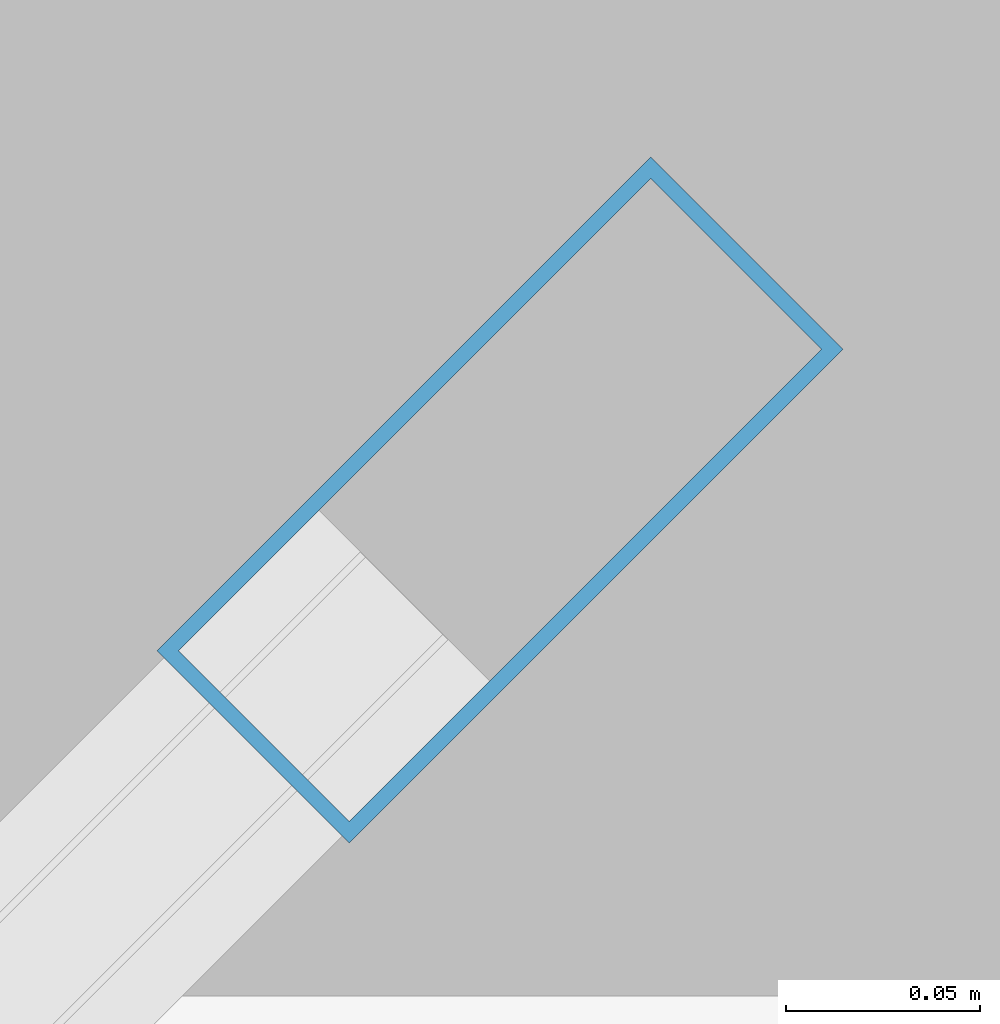
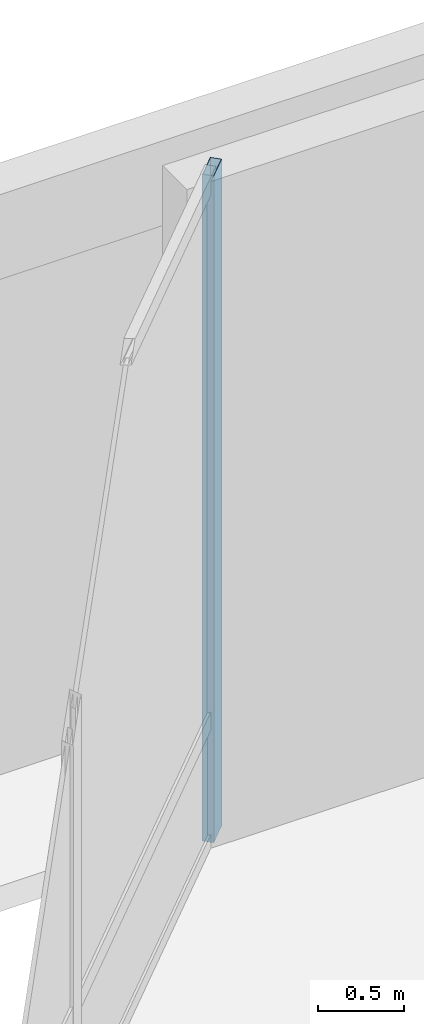
# One storey, part 9 of 23: 1 member, 1 element without a shape of its own.
"""IFC4 building model written with IfcOpenShell, lengths in metres."""

import ifcopenshell
import ifcopenshell.guid

model = None  # the IFC model being written
_history = None  # IfcOwnerHistory: only IFC2X3 demands one
_inside = {}  # id of a spatial element -> (the spatial element, [elements in it])
_under = {}  # id of a project, library or spatial element -> (it, [spatial elements below it])
_declared = {}  # id of a project -> (the project, [libraries it declares])
_typed = {}  # id of a type object -> (the type object, [elements of that type])
_made_of = {}  # id of a material, layer set ... -> (it, [elements and type objects made of it])


def new_model(schema):
    """Start an empty IFC model of exactly this schema.

    Asked for "IFC4X3", IfcOpenShell would pick the latest addendum, in which some entities
    have other attributes; the version numbers below select the first issue.
    IFC2X3 requires an IfcOwnerHistory on every rooted entity: one is made here for all.
    """
    global model, _history
    if schema == "IFC4X3":
        model = ifcopenshell.file(schema_version=(4, 3, 0, 0))
    else:
        model = ifcopenshell.file(schema=schema)
    _inside.clear()
    _under.clear()
    _declared.clear()
    _typed.clear()
    _made_of.clear()
    _history = None
    if model.schema == "IFC2X3":
        org = make("IfcOrganization", Name="unknown")
        user = make(
            "IfcPersonAndOrganization",
            ThePerson=make("IfcPerson", FamilyName="unknown"),
            TheOrganization=org,
        )
        app = make(
            "IfcApplication",
            ApplicationDeveloper=org,
            Version="unknown",
            ApplicationFullName="unknown",
            ApplicationIdentifier="unknown",
        )
        _history = make(
            "IfcOwnerHistory",
            OwningUser=user,
            OwningApplication=app,
            ChangeAction="ADDED",
            CreationDate=0,
        )
    return model


def make(cls, **values):
    """One entity of the class cls with the attributes given. An attribute that is None is left unset."""
    return model.create_entity(
        cls, **{name: value for name, value in values.items() if value is not None}
    )


def rooted(cls, **values):
    """An entity with a GlobalId (a new one), such as an element, a storey or a relation."""
    return make(cls, GlobalId=ifcopenshell.guid.new(), OwnerHistory=_history, **values)


def si_unit(unit_type, name, prefix=None):
    """IfcSIUnit, for example si_unit("LENGTHUNIT", "METRE", prefix="MILLI")."""
    return make("IfcSIUnit", UnitType=unit_type, Prefix=prefix, Name=name)


def assignment(units):
    """IfcUnitAssignment: the units of a project."""
    return None if units is None else make("IfcUnitAssignment", Units=units)


def point(xyz):
    """IfcCartesianPoint."""
    return None if xyz is None else make("IfcCartesianPoint", Coordinates=xyz)


def direction(xyz):
    """IfcDirection."""
    return None if xyz is None else make("IfcDirection", DirectionRatios=xyz)


def frame(location, z_axis=None, x_axis=None):
    """IfcAxis2Placement3D, a coordinate frame: its origin and axes. An axis left out is left unset."""
    return make(
        "IfcAxis2Placement3D",
        Location=point(location),
        Axis=direction(z_axis),
        RefDirection=direction(x_axis),
    )


def frame_2d(location, x_axis=None):
    """IfcAxis2Placement2D, a coordinate frame in the plane: its origin and x axis."""
    return make(
        "IfcAxis2Placement2D", Location=point(location), RefDirection=direction(x_axis)
    )


def origin():
    """The frame at (0, 0, 0) with its axes left unset."""
    return frame((0.0, 0.0, 0.0))


def origin_2d():
    """The frame at (0, 0) in the plane with its x axis left unset."""
    return frame_2d((0.0, 0.0))


def place(relative_to, where):
    """IfcLocalPlacement: puts the frame where relative to a parent placement (None: the world)."""
    return make(
        "IfcLocalPlacement", PlacementRelTo=relative_to, RelativePlacement=where
    )


def context(
    kind, dimensions, precision=None, world=None, true_north=None, identifier=None
):
    """IfcGeometricRepresentationContext, for example the 3D "Model" context."""
    return make(
        "IfcGeometricRepresentationContext",
        ContextIdentifier=identifier,
        ContextType=kind,
        CoordinateSpaceDimension=dimensions,
        Precision=precision,
        WorldCoordinateSystem=world,
        TrueNorth=true_north,
    )


def subcontext(parent, identifier, kind, view, scale=None):
    """IfcGeometricRepresentationSubContext, for example "Body" below "Model"."""
    return make(
        "IfcGeometricRepresentationSubContext",
        ContextIdentifier=identifier,
        ContextType=kind,
        ParentContext=parent,
        TargetScale=scale,
        TargetView=view,
    )


def project(units=None, contexts=None):
    """IfcProject with its units and contexts."""
    return rooted(
        "IfcProject",
        Name="project",
        RepresentationContexts=contexts,
        UnitsInContext=assignment(units),
    )


def spatial(cls, under=None, at=None, **own):
    """A site, building, storey or space (cls), placed at a placement, below another one or the project."""
    s = rooted(cls, ObjectPlacement=at, **own)
    if under is not None:
        _under.setdefault(under.id(), (under, []))[1].append(s)
    return s


def profile(cls, at=None, kind="AREA", **sizes):
    """A parametric profile (cls). Its sizes go by their IFC names, for example OverallWidth=200.0."""
    return make(cls, ProfileType=kind, Position=at, **sizes)


def hollow_rectangle(**sizes):
    """IfcRectangleHollowProfileDef."""
    return profile("IfcRectangleHollowProfileDef", **sizes)


def extrude(swept, where, along, depth):
    """IfcExtrudedAreaSolid: the profile swept, set in the frame where, extruded along a direction by depth."""
    return make(
        "IfcExtrudedAreaSolid",
        SweptArea=swept,
        Position=where,
        ExtrudedDirection=direction(along),
        Depth=depth,
    )


def shape(context_of_items, identifier, shape_type, items):
    """IfcShapeRepresentation: the items that make up one representation, for example the "Body"."""
    return make(
        "IfcShapeRepresentation",
        ContextOfItems=context_of_items,
        RepresentationIdentifier=identifier,
        RepresentationType=shape_type,
        Items=items,
    )


def material(Name=None, Category=None):
    """IfcMaterial."""
    return make("IfcMaterial", Name=Name, Category=Category)


def layer(
    of_material, thickness, ventilated=None, Name=None, Category=None, Priority=None
):
    """IfcMaterialLayer: one layer of a wall or slab, of a material (None: an air gap)."""
    return make(
        "IfcMaterialLayer",
        Material=of_material,
        LayerThickness=thickness,
        IsVentilated=ventilated,
        Name=Name,
        Category=Category,
        Priority=Priority,
    )


def layer_set(layers, Name=None):
    """IfcMaterialLayerSet."""
    return make("IfcMaterialLayerSet", MaterialLayers=layers, LayerSetName=Name)


def material_profile(
    of_material, cross_section, Name=None, Category=None, Priority=None
):
    """IfcMaterialProfile: a cross section and its material."""
    return make(
        "IfcMaterialProfile",
        Name=Name,
        Material=of_material,
        Profile=cross_section,
        Priority=Priority,
        Category=Category,
    )


def profile_set(profiles, Name=None, composite=None):
    """IfcMaterialProfileSet."""
    return make(
        "IfcMaterialProfileSet",
        Name=Name,
        MaterialProfiles=profiles,
        CompositeProfile=composite,
    )


def made_of(thing, what):
    """Note that an element or type object is made of a material, layer set ...; save() writes the relation."""
    if what is not None:
        _made_of.setdefault(what.id(), (what, []))[1].append(thing)
    return thing


def type_object(cls, material=None, **own):
    """A type object (cls), such as IfcWallType, which elements share."""
    return made_of(rooted(cls, **own), material)


def element(
    cls,
    number,
    at=None,
    inside=None,
    cuts=None,
    type_object=None,
    material=None,
    context=None,
    identifier="Body",
    shape_type=None,
    held_by="IfcProductDefinitionShape",
    body=None,
    shapes=None,
    **own,
):
    """One element of the class cls, such as IfcWall. Its Tag is "e" and its number.

    at: its placement. inside: the storey or other place that contains it. cuts: it is an
    opening in that element (IfcRelVoidsElement). A single representation is given by context,
    identifier, shape_type and body (its items); several are given by shapes. held_by: the class
    of the entity that holds the representations. save() writes the other relations.
    """
    e = rooted(cls, Tag="e%d" % number, ObjectPlacement=at, **own)
    if body is not None:
        shapes = [shape(context, identifier, shape_type, body)]
    if shapes is not None:
        e.Representation = make(held_by, Representations=shapes)
    if inside is not None:
        _inside.setdefault(inside.id(), (inside, []))[1].append(e)
    if cuts is not None:
        rooted(
            "IfcRelVoidsElement", RelatingBuildingElement=cuts, RelatedOpeningElement=e
        )
    if type_object is not None:
        _typed.setdefault(type_object.id(), (type_object, []))[1].append(e)
    return made_of(e, material)


def aggregate(whole, parts):
    """IfcRelAggregates: a whole, such as a stair, and the parts it consists of."""
    return rooted("IfcRelAggregates", RelatingObject=whole, RelatedObjects=parts)


def save(model, path):
    """Write the relations noted so far, then the file.

    IfcRelAggregates (storeys below a building ...), IfcRelContainedInSpatialStructure (elements
    in a storey), IfcRelDefinesByType, IfcRelAssociatesMaterial and IfcRelDeclares: one each for
    every whole, place, type object, material and project.
    """
    for whole, parts in _under.values():
        aggregate(whole, parts)
    for where, things in _inside.values():
        rooted(
            "IfcRelContainedInSpatialStructure",
            RelatedElements=things,
            RelatingStructure=where,
        )
    for kind, things in _typed.values():
        rooted("IfcRelDefinesByType", RelatedObjects=things, RelatingType=kind)
    for what, things in _made_of.values():
        rooted("IfcRelAssociatesMaterial", RelatedObjects=things, RelatingMaterial=what)
    for by, libraries in _declared.values():
        rooted("IfcRelDeclares", RelatingContext=by, RelatedDefinitions=libraries)
    model.write(path)


model = new_model("IFC4")

# Units and contexts
model_context = context("Model", 3, precision=1e-05, world=origin(), true_north=direction((0.0, 1.0)))
body_context = subcontext(model_context, "Body", "Model", "MODEL_VIEW")
ifc_project = project(units=[si_unit("LENGTHUNIT", "METRE"), si_unit("AREAUNIT", "SQUARE_METRE"), si_unit("VOLUMEUNIT", "CUBIC_METRE"), si_unit("PLANEANGLEUNIT", "RADIAN"), si_unit("MASSUNIT", "GRAM", prefix="KILO")], contexts=[model_context])

# Site, building, storey
site_placement = place(None, origin())
site = spatial("IfcSite", under=ifc_project, at=site_placement, CompositionType="ELEMENT")
building_placement = place(site_placement, origin())
building = spatial("IfcBuilding", under=site, at=building_placement, Name="Caelvoria Tower", CompositionType="ELEMENT")
storey_placement = place(building_placement, origin())
storey = spatial("IfcBuildingStorey", under=building, at=storey_placement, Name="L00", CompositionType="ELEMENT", Elevation=0.0)

# Curtain wall, member
ifc_material_1 = material(Name="Anodised Bronze Aluminium and Low-E Glass", Category="aluminium")
ifc_layer = layer(ifc_material_1, 0.199951171875, Name="Anodised Bronze Aluminium and Low-E Glass")
ifc_layer_set = layer_set([ifc_layer], Name="CW System 1 Podium Arcade Unitised Glazing - Anodised Bronze Aluminium and Low-E Glass")
curtain_wall_type = type_object("IfcCurtainWallType", Name="CW System 1 Podium Arcade Unitised Glazing", PredefinedType="NOTDEFINED", material=ifc_layer_set)
curtain_wall_placement = place(storey_placement, origin())
curtain_wall = element("IfcCurtainWall", 1, at=curtain_wall_placement, inside=storey, type_object=curtain_wall_type, Name="CW-01 Curtain Wall L00-E5", PredefinedType="NOTDEFINED")
ifc_material_2 = material(Name="Anodised Bronze Architectural Aluminium", Category="aluminium")
ifc_material_profile = material_profile(ifc_material_2, hollow_rectangle(XDim=0.070068359375, YDim=0.179931640625, WallThickness=0.00390625, at=origin_2d()), Name="Anodised Bronze Architectural Aluminium")
ifc_profile_set = profile_set([ifc_material_profile], Name="CW_MULL_70X180 - Anodised Bronze Architectural Aluminium")
member_type = type_object("IfcMemberType", Name="Curtain Wall Mullion 70x180 Bronze Aluminium", PredefinedType="MULLION", material=ifc_profile_set)
member_placement = place(storey_placement, frame((6.6025390625, 61.847900390625, 0.0), z_axis=(0.0, 0.0, 1.0), x_axis=(0.707106781187, -0.707106781187, 0.0)))
member = element("IfcMember", 2, at=member_placement, type_object=member_type, Name="CW-01 mullion 1", PredefinedType="MULLION", context=body_context, shape_type="SweptSolid", body=[
    extrude(hollow_rectangle(XDim=0.070068359375, YDim=0.179931640625, WallThickness=0.00390625, at=origin_2d()), origin(), (0.0, 0.0, 1.0), 4.719970703125),
])
aggregate(curtain_wall, [member])

save(model, "model.ifc")
